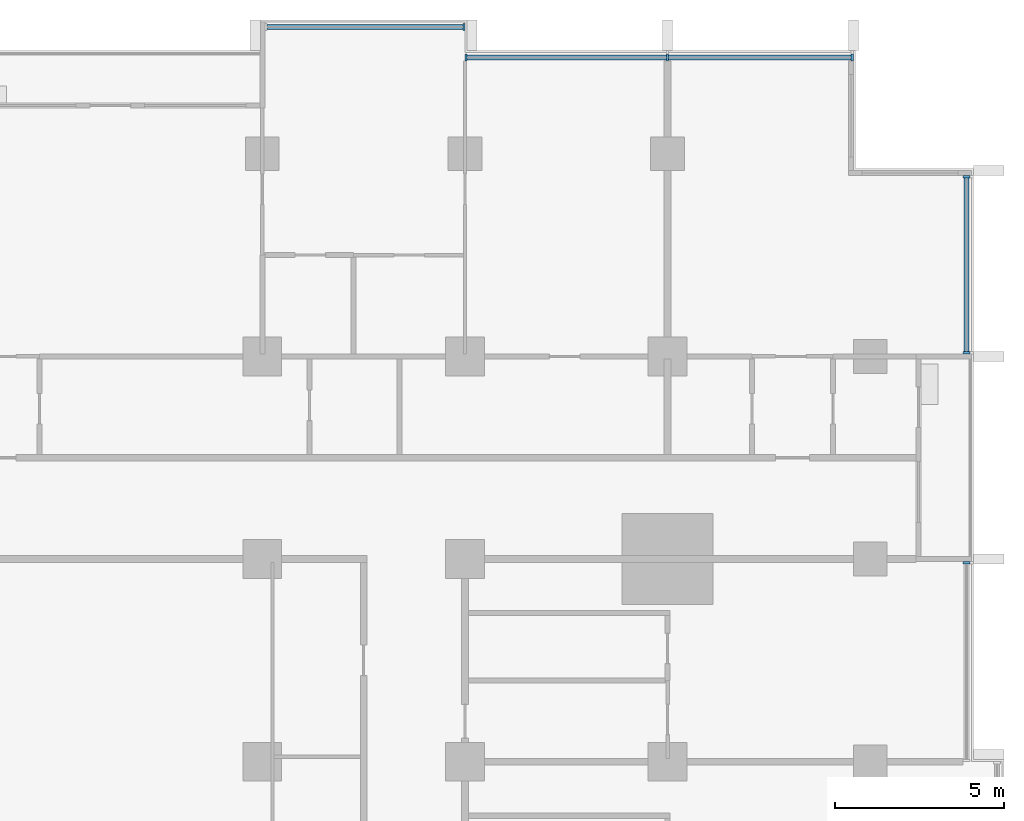
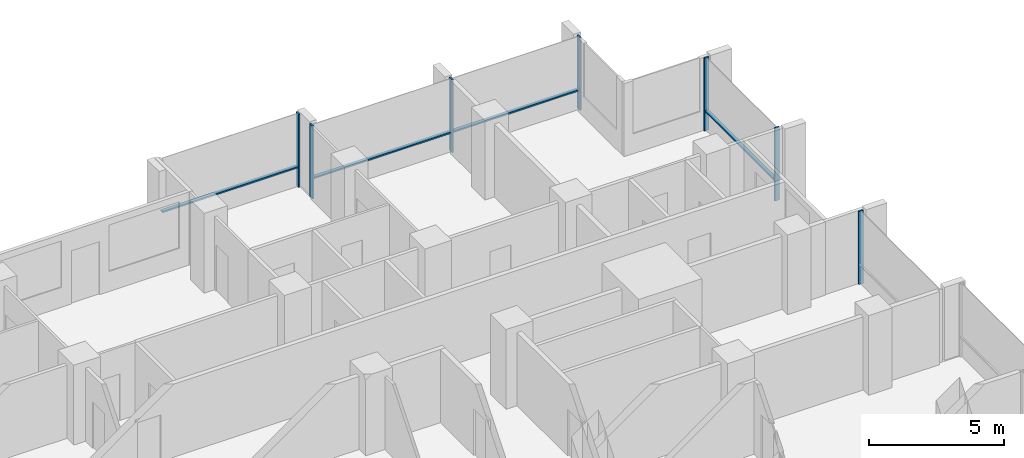
# One storey, part 5 of 17: 11 members, 4 elements without a shape of their own.
"""IFC4 building model written with IfcOpenShell, lengths in metres."""

from ifc_helpers import new_model, si_unit, direction, frame, origin, origin_2d, place, context, subcontext, project, spatial, rectangle, extrude, material, material_profile, profile_set, type_object, element, aggregate, save


model = new_model("IFC4")

# Units and contexts
model_context = context("Model", 3, precision=1e-05, world=origin(), true_north=direction((0.0, 1.0)))
body_context = subcontext(model_context, "Body", "Model", "MODEL_VIEW")
ifc_project = project(units=[si_unit("LENGTHUNIT", "METRE"), si_unit("AREAUNIT", "SQUARE_METRE"), si_unit("VOLUMEUNIT", "CUBIC_METRE"), si_unit("PLANEANGLEUNIT", "RADIAN"), si_unit("MASSUNIT", "GRAM", prefix="KILO")], contexts=[model_context])

# Site, building, storey
site_placement = place(None, origin())
site = spatial("IfcSite", under=ifc_project, at=site_placement, CompositionType="ELEMENT")
building_placement = place(site_placement, origin())
building = spatial("IfcBuilding", under=site, at=building_placement, Name="Finial Court Residences", CompositionType="ELEMENT")
storey_placement = place(building_placement, frame((0.0, 0.0, 99.10009765625)))
storey = spatial("IfcBuildingStorey", under=building, at=storey_placement, Name="L24", CompositionType="ELEMENT", Elevation=99.10009765625)

# Curtain wall, member
ifc_material = material(Name="Bronze anodised aluminium", Category="aluminium")
curtain_wall_type = type_object("IfcCurtainWallType", Name="Unitised curtain wall, lower and middle zones", PredefinedType="NOTDEFINED", material=ifc_material)
curtain_wall_1_placement = place(storey_placement, origin())
curtain_wall_1 = element("IfcCurtainWall", 1, at=curtain_wall_1_placement, inside=storey, type_object=curtain_wall_type, Name="E-L24-CW-N2", PredefinedType="NOTDEFINED")
ifc_material_profile_1 = material_profile(ifc_material, rectangle(XDim=0.199951171875, YDim=0.06494140625, at=origin_2d()), Name="CW1 mullion 65 x 200")
ifc_profile_set_1 = profile_set([ifc_material_profile_1], Name="Bronze anodised aluminium")
member_type_1 = type_object("IfcMemberType", Name="CW1 mullion 65 x 200", PredefinedType="MULLION", material=ifc_profile_set_1)
member_1_placement = place(storey_placement, frame((10.467529296875, 23.25, 0.0), z_axis=(0.0, 0.0, 1.0), x_axis=(0.0, 1.0, 0.0)))
member_1 = element("IfcMember", 2, at=member_1_placement, type_object=member_type_1, Name="CW1 mullion 2", PredefinedType="MULLION", context=body_context, shape_type="SweptSolid", body=[
    extrude(rectangle(XDim=0.199951171875, YDim=0.06494140625, at=origin_2d()), origin(), (0.0, 0.0, 1.0), 3.2998046875),
])

# Curtain wall, members
curtain_wall_2_placement = place(storey_placement, origin())
curtain_wall_2 = element("IfcCurtainWall", 3, at=curtain_wall_2_placement, inside=storey, type_object=curtain_wall_type, Name="E-L24-CW-N3", PredefinedType="NOTDEFINED")
member_2_placement = place(storey_placement, frame((10.532470703125, 22.35009765625, 0.0), z_axis=(0.0, 0.0, 1.0), x_axis=(0.0, 1.0, 0.0)))
member_2 = element("IfcMember", 4, at=member_2_placement, type_object=member_type_1, Name="CW1 mullion 1", PredefinedType="MULLION", context=body_context, shape_type="SweptSolid", body=[
    extrude(rectangle(XDim=0.199951171875, YDim=0.06494140625, at=origin_2d()), origin(), (0.0, 0.0, 1.0), 3.2998046875),
])
member_3_placement = place(storey_placement, frame((16.5, 22.35009765625, 0.0), z_axis=(0.0, 0.0, 1.0), x_axis=(0.0, 1.0, 0.0)))
member_3 = element("IfcMember", 5, at=member_3_placement, type_object=member_type_1, Name="CW1 mullion 2", PredefinedType="MULLION", context=body_context, shape_type="SweptSolid", body=[
    extrude(rectangle(XDim=0.199951171875, YDim=0.06494140625, at=origin_2d()), origin(), (0.0, 0.0, 1.0), 3.2998046875),
])
member_4_placement = place(storey_placement, frame((21.967529296875, 22.35009765625, 0.0), z_axis=(0.0, 0.0, 1.0), x_axis=(0.0, 1.0, 0.0)))
member_4 = element("IfcMember", 6, at=member_4_placement, type_object=member_type_1, Name="CW1 mullion 3", PredefinedType="MULLION", context=body_context, shape_type="SweptSolid", body=[
    extrude(rectangle(XDim=0.199951171875, YDim=0.06494140625, at=origin_2d()), origin(), (0.0, 0.0, 1.0), 3.2998046875),
])

# Curtain wall, member
curtain_wall_3_placement = place(storey_placement, origin())
curtain_wall_3 = element("IfcCurtainWall", 7, at=curtain_wall_3_placement, inside=storey, type_object=curtain_wall_type, Name="E-L24-CW-E6", PredefinedType="NOTDEFINED")
member_5_placement = place(storey_placement, frame((25.35009765625, 7.392578125, 0.0), z_axis=(0.0, 0.0, 1.0), x_axis=(-1.0, 0.0, 0.0)))
member_5 = element("IfcMember", 8, at=member_5_placement, type_object=member_type_1, Name="CW1 mullion 2", PredefinedType="MULLION", context=body_context, shape_type="SweptSolid", body=[
    extrude(rectangle(XDim=0.199951171875, YDim=0.06494140625, at=origin_2d()), origin(), (0.0, 0.0, 1.0), 3.2998046875),
])
aggregate(curtain_wall_3, [member_5])

# Curtain wall, members
curtain_wall_4_placement = place(storey_placement, origin())
curtain_wall_4 = element("IfcCurtainWall", 9, at=curtain_wall_4_placement, inside=storey, type_object=curtain_wall_type, Name="E-L24-CW-E7", PredefinedType="NOTDEFINED")
member_6_placement = place(storey_placement, frame((25.35009765625, 13.607421875, 0.0), z_axis=(0.0, 0.0, 1.0), x_axis=(-1.0, 0.0, 0.0)))
member_6 = element("IfcMember", 10, at=member_6_placement, type_object=member_type_1, Name="CW1 mullion 1", PredefinedType="MULLION", context=body_context, shape_type="SweptSolid", body=[
    extrude(rectangle(XDim=0.199951171875, YDim=0.06494140625, at=origin_2d()), origin(), (0.0, 0.0, 1.0), 3.2998046875),
])
member_7_placement = place(storey_placement, frame((25.35009765625, 18.8173828125, 0.0), z_axis=(0.0, 0.0, 1.0), x_axis=(-1.0, 0.0, 0.0)))
member_7 = element("IfcMember", 11, at=member_7_placement, type_object=member_type_1, Name="CW1 mullion 2", PredefinedType="MULLION", context=body_context, shape_type="SweptSolid", body=[
    extrude(rectangle(XDim=0.199951171875, YDim=0.06494140625, at=origin_2d()), origin(), (0.0, 0.0, 1.0), 3.2998046875),
])

# Member
ifc_material_profile_2 = material_profile(ifc_material, rectangle(XDim=0.14990234375, YDim=0.06494140625, at=origin_2d()), Name="CW1 transom 65 x 150")
ifc_profile_set_2 = profile_set([ifc_material_profile_2], Name="Bronze anodised aluminium")
member_type_2 = type_object("IfcMemberType", Name="CW1 transom 65 x 150", PredefinedType="USERDEFINED", material=ifc_profile_set_2)
member_8_placement = place(storey_placement, frame((4.639892578125, 23.25, 0.89990234375), z_axis=(1.0, 0.0, 0.0), x_axis=(0.0, 1.0, 0.0)))
member_8 = element("IfcMember", 12, at=member_8_placement, type_object=member_type_2, Name="CW1 transom 1.1", ObjectType="TRANSOM", PredefinedType="USERDEFINED", context=body_context, shape_type="SweptSolid", body=[
    extrude(rectangle(XDim=0.14990234375, YDim=0.06494140625, at=origin_2d()), origin(), (0.0, 0.0, 1.0), 5.795166015625),
])

aggregate(curtain_wall_1, [member_1, member_8])

member_9_placement = place(storey_placement, frame((10.56494140625, 22.35009765625, 0.89990234375), z_axis=(1.0, 0.0, 0.0), x_axis=(0.0, 1.0, 0.0)))
member_9 = element("IfcMember", 13, at=member_9_placement, type_object=member_type_2, Name="CW1 transom 1.1", ObjectType="TRANSOM", PredefinedType="USERDEFINED", context=body_context, shape_type="SweptSolid", body=[
    extrude(rectangle(XDim=0.14990234375, YDim=0.06494140625, at=origin_2d()), origin(), (0.0, 0.0, 1.0), 5.902587890625),
])

member_10_placement = place(storey_placement, frame((16.532470703125, 22.35009765625, 0.89990234375), z_axis=(1.0, 0.0, 0.0), x_axis=(0.0, 1.0, 0.0)))
member_10 = element("IfcMember", 14, at=member_10_placement, type_object=member_type_2, Name="CW1 transom 2.1", ObjectType="TRANSOM", PredefinedType="USERDEFINED", context=body_context, shape_type="SweptSolid", body=[
    extrude(rectangle(XDim=0.14990234375, YDim=0.06494140625, at=origin_2d()), origin(), (0.0, 0.0, 1.0), 5.402587890625),
])

aggregate(curtain_wall_2, [member_2, member_3, member_4, member_9, member_10])

member_11_placement = place(storey_placement, frame((25.35009765625, 13.639892578125, 0.89990234375), z_axis=(0.0, 1.0, 0.0), x_axis=(-1.0, 0.0, 0.0)))
member_11 = element("IfcMember", 15, at=member_11_placement, type_object=member_type_2, Name="CW1 transom 1.1", ObjectType="TRANSOM", PredefinedType="USERDEFINED", context=body_context, shape_type="SweptSolid", body=[
    extrude(rectangle(XDim=0.14990234375, YDim=0.06494140625, at=origin_2d()), origin(), (0.0, 0.0, 1.0), 5.14501953125),
])

aggregate(curtain_wall_4, [member_6, member_7, member_11])

save(model, "model.ifc")
